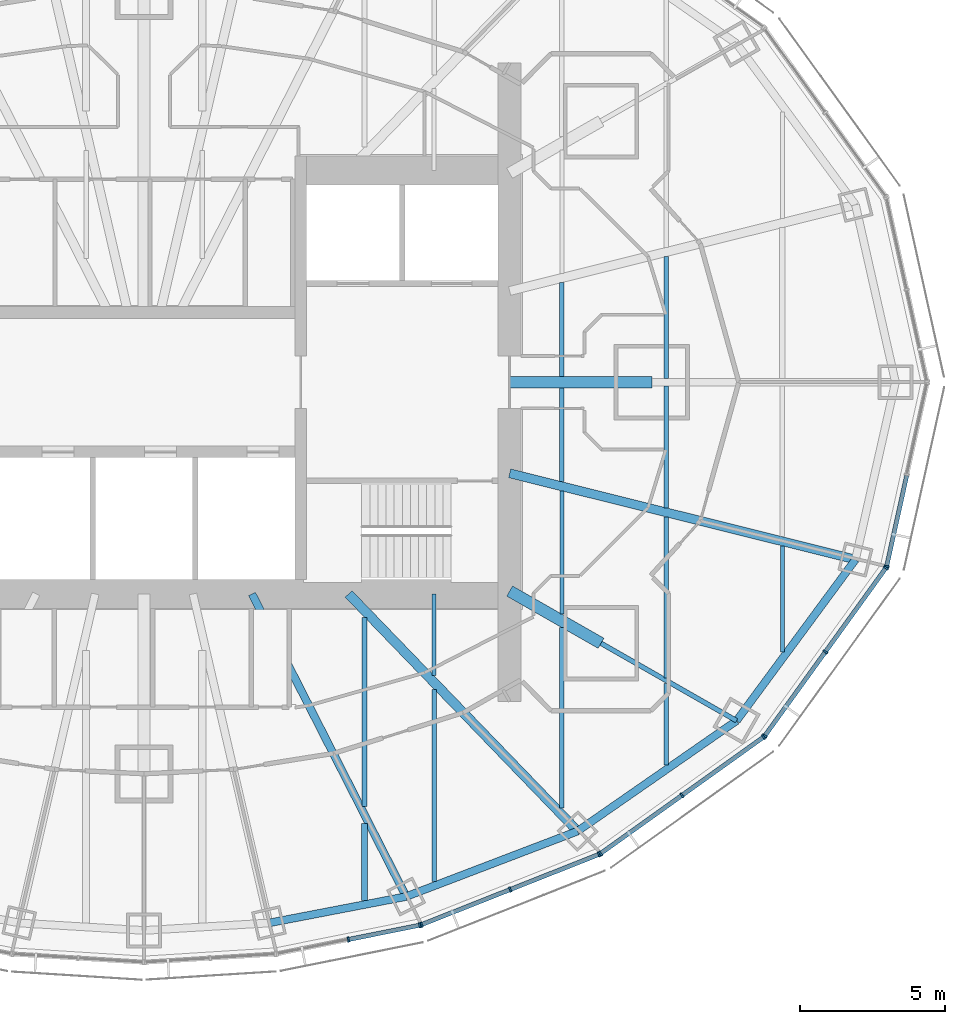
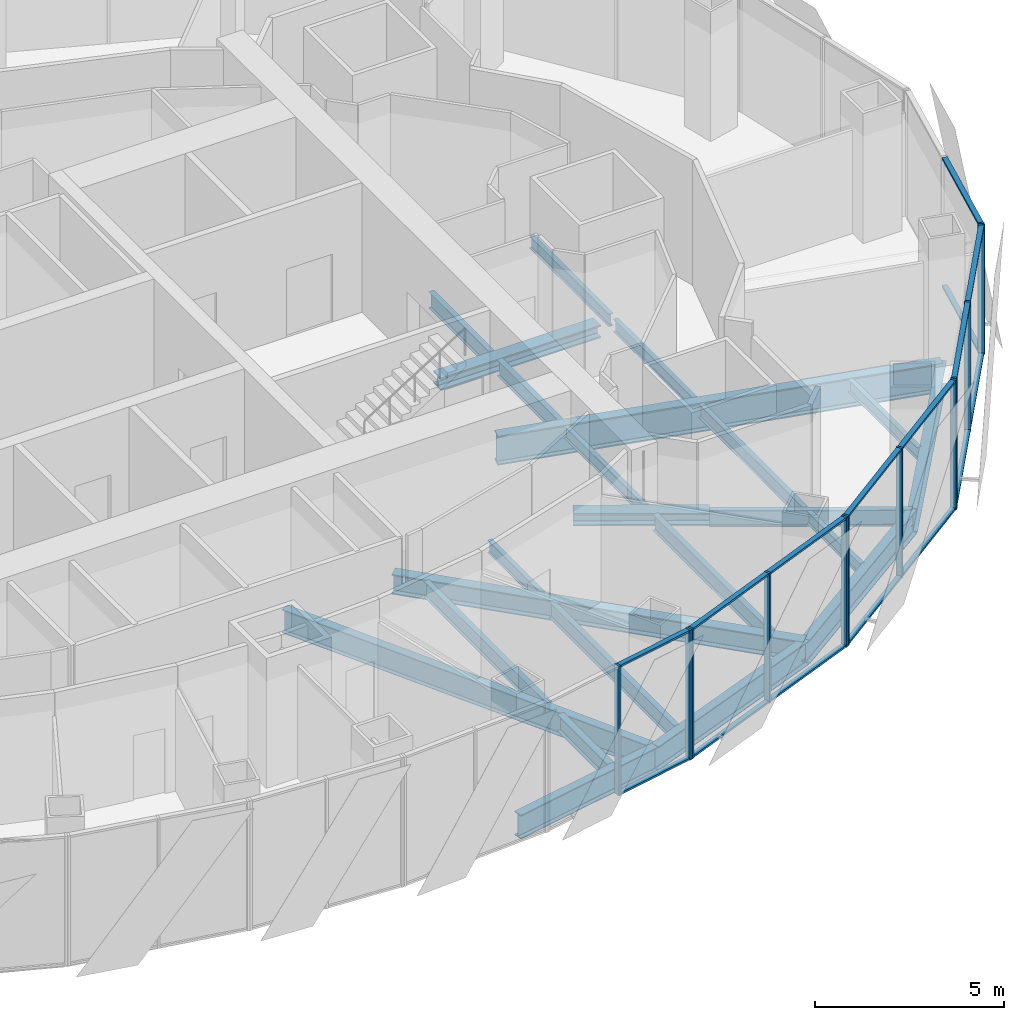
# One storey, part 6 of 18: 28 members, 23 beams, 5 elements without a shape of their own.
"""IFC4 building model written with IfcOpenShell, lengths in metres."""

from ifc_helpers import new_model, si_unit, direction, frame, origin, origin_2d, place, context, subcontext, project, spatial, rectangle, i_section, extrude, material, material_profile, profile_set, type_object, element, aggregate, save


model = new_model("IFC4")

# Units and contexts
model_context = context("Model", 3, precision=1e-05, world=origin(), true_north=direction((0.0, 1.0)))
body_context = subcontext(model_context, "Body", "Model", "MODEL_VIEW")
ifc_project = project(units=[si_unit("LENGTHUNIT", "METRE"), si_unit("AREAUNIT", "SQUARE_METRE"), si_unit("VOLUMEUNIT", "CUBIC_METRE"), si_unit("PLANEANGLEUNIT", "RADIAN"), si_unit("MASSUNIT", "GRAM", prefix="KILO")], contexts=[model_context])

# Site, building, storey
site_placement = place(None, origin())
site = spatial("IfcSite", under=ifc_project, at=site_placement, CompositionType="ELEMENT")
building_placement = place(site_placement, origin())
building = spatial("IfcBuilding", under=site, at=building_placement, Name="Lantaw Convention Tower", CompositionType="ELEMENT")
storey_placement = place(building_placement, frame((0.0, 0.0, 241.0)))
storey = spatial("IfcBuildingStorey", under=building, at=storey_placement, Name="L56", CompositionType="ELEMENT", Elevation=241.0)

# Beams
ifc_material_1 = material(Name="Steel ASTM A992", Category="steel")
ifc_material_profile_1 = material_profile(ifc_material_1, i_section(OverallWidth=0.2666015625, OverallDepth=0.76953125, WebThickness=0.015625, FlangeThickness=0.025390625, FilletRadius=0.0126953125, at=origin_2d()), Name="W30X132")
ifc_profile_set_1 = profile_set([ifc_material_profile_1], Name="Steel ASTM A992")
beam_type_1 = type_object("IfcBeamType", Name="Beam E W30X132", PredefinedType="SPANDREL", material=ifc_profile_set_1)
beam_1_placement = place(storey_placement, frame((4.303955078125, -18.64208984375, -0.534912109375), z_axis=(0.981972091702, 0.189025953556, 0.0), x_axis=(-0.189025953556, 0.981972091702, 0.0)))
element("IfcBeam", 1, at=beam_1_placement, inside=storey, type_object=beam_type_1, Name="Edge beam 20", PredefinedType="SPANDREL", context=body_context, shape_type="SweptSolid", body=[
    extrude(i_section(OverallWidth=0.2666015625, OverallDepth=0.76953125, WebThickness=0.015625, FlangeThickness=0.025390625, FilletRadius=0.0126953125, at=origin_2d()), origin(), (0.0, 0.0, 1.0), 4.817626953125),
])
beam_2_placement = place(storey_placement, frame((9.03466796875, -17.7314453125, -0.534912109375), z_axis=(0.934234988, 0.356658081637, 0.0), x_axis=(-0.356658081637, 0.934234988, 0.0)))
element("IfcBeam", 2, at=beam_2_placement, inside=storey, type_object=beam_type_1, Name="Edge beam 21", PredefinedType="SPANDREL", context=body_context, shape_type="SweptSolid", body=[
    extrude(i_section(OverallWidth=0.2666015625, OverallDepth=0.76953125, WebThickness=0.015625, FlangeThickness=0.025390625, FilletRadius=0.0126953125, at=origin_2d()), origin(), (0.0, 0.0, 1.0), 6.32568359375),
])
beam_3_placement = place(storey_placement, frame((14.9443359375, -15.475341796875, -0.534912109375), z_axis=(0.82135329406, 0.570419815869, 0.0), x_axis=(-0.570419815869, 0.82135329406, 0.0)))
element("IfcBeam", 3, at=beam_3_placement, inside=storey, type_object=beam_type_1, Name="Edge beam 22", PredefinedType="SPANDREL", context=body_context, shape_type="SweptSolid", body=[
    extrude(i_section(OverallWidth=0.2666015625, OverallDepth=0.76953125, WebThickness=0.015625, FlangeThickness=0.025390625, FilletRadius=0.0126953125, at=origin_2d()), origin(), (0.0, 0.0, 1.0), 6.67041015625),
])
beam_4_placement = place(storey_placement, frame((20.423095703125, -11.67041015625, -0.534912109375), z_axis=(0.593639188853, 0.804731329984, 0.0), x_axis=(-0.804731329984, 0.593639188853, 0.0)))
element("IfcBeam", 4, at=beam_4_placement, inside=storey, type_object=beam_type_1, Name="Edge beam 23", PredefinedType="SPANDREL", context=body_context, shape_type="SweptSolid", body=[
    extrude(i_section(OverallWidth=0.2666015625, OverallDepth=0.76953125, WebThickness=0.015625, FlangeThickness=0.025390625, FilletRadius=0.0126953125, at=origin_2d()), origin(), (0.0, 0.0, 1.0), 6.904541015625),
])
ifc_material_profile_2 = material_profile(ifc_material_1, i_section(OverallWidth=0.165771484375, OverallDepth=0.5283203125, WebThickness=0.009765625, FlangeThickness=0.013671875, FilletRadius=0.012939453125, at=origin_2d()), Name="W21X50")
ifc_profile_set_2 = profile_set([ifc_material_profile_2], Name="Steel ASTM A992")
beam_type_2 = type_object("IfcBeamType", Name="Beam G W21X50", PredefinedType="BEAM", material=ifc_profile_set_2)
beam_5_placement = place(storey_placement, frame((15.75, -9.0, -0.4140625), z_axis=(0.868237559289, -0.496148708192, 0.0), x_axis=(0.496148708192, 0.868237559289, 0.0)))
element("IfcBeam", 5, at=beam_5_placement, inside=storey, type_object=beam_type_2, Name="Floor girder on ray 23", PredefinedType="BEAM", context=body_context, shape_type="SweptSolid", body=[
    extrude(i_section(OverallWidth=0.165771484375, OverallDepth=0.5283203125, WebThickness=0.009765625, FlangeThickness=0.013671875, FilletRadius=0.012939453125, at=origin_2d()), origin(), (0.0, 0.0, 1.0), 5.38232421875),
])
ifc_material_profile_3 = material_profile(ifc_material_1, i_section(OverallWidth=0.32763671875, OverallDepth=0.64013671875, WebThickness=0.01904296875, FlangeThickness=0.033935546875, FilletRadius=0.0126953125, at=origin_2d()), Name="W24X176")
ifc_profile_set_3 = profile_set([ifc_material_profile_3], Name="Steel ASTM A992")
beam_type_3 = type_object("IfcBeamType", Name="Beam G W24X176", PredefinedType="BEAM", material=ifc_profile_set_3)
beam_6_placement = place(storey_placement, frame((7.049560546875, -7.300048828125, -0.469970703125), z_axis=(0.694657766726, -0.719340383356, 0.0), x_axis=(0.719340383356, 0.694657766726, 0.0)))
element("IfcBeam", 6, at=beam_6_placement, inside=storey, type_object=beam_type_3, Name="Floor girder on ray 22", PredefinedType="BEAM", context=body_context, shape_type="SweptSolid", body=[
    extrude(i_section(OverallWidth=0.32763671875, OverallDepth=0.64013671875, WebThickness=0.01904296875, FlangeThickness=0.033935546875, FilletRadius=0.0126953125, at=origin_2d()), origin(), (0.0, 0.0, 1.0), 11.364990234375),
])
ifc_material_profile_4 = material_profile(ifc_material_1, i_section(OverallWidth=0.2666015625, OverallDepth=0.7568359375, WebThickness=0.013916015625, FlangeThickness=0.019287109375, FilletRadius=0.0126953125, at=origin_2d()), Name="W30X108")
ifc_profile_set_4 = profile_set([ifc_material_profile_4], Name="Steel ASTM A992")
beam_type_4 = type_object("IfcBeamType", Name="Beam G W30X108", PredefinedType="BEAM", material=ifc_profile_set_4)
beam_7_placement = place(storey_placement, frame((3.719482421875, -7.300048828125, -0.528564453125), z_axis=(0.4539988787, -0.891002254845, 0.0), x_axis=(0.891002254845, 0.4539988787, 0.0)))
element("IfcBeam", 7, at=beam_7_placement, inside=storey, type_object=beam_type_4, Name="Floor girder on ray 21", PredefinedType="BEAM", context=body_context, shape_type="SweptSolid", body=[
    extrude(i_section(OverallWidth=0.2666015625, OverallDepth=0.7568359375, WebThickness=0.013916015625, FlangeThickness=0.019287109375, FilletRadius=0.0126953125, at=origin_2d()), origin(), (0.0, 0.0, 1.0), 11.70751953125),
])
ifc_material_profile_5 = material_profile(ifc_material_1, i_section(OverallWidth=0.307373046875, OverallDepth=0.9423828125, WebThickness=0.022216796875, FlangeThickness=0.039794921875, FilletRadius=0.0126953125, at=origin_2d()), Name="W36X232")
ifc_profile_set_5 = profile_set([ifc_material_profile_5], Name="Steel ASTM A992")
beam_type_5 = type_object("IfcBeamType", Name="Beam G W36X232", PredefinedType="BEAM", material=ifc_profile_set_5)
beam_8_placement = place(storey_placement, frame((12.60009765625, -3.1416015625, -0.62109375), z_axis=(0.970296589314, -0.241918434119, 0.0), x_axis=(0.241918434119, 0.970296589314, 0.0)))
element("IfcBeam", 8, at=beam_8_placement, inside=storey, type_object=beam_type_5, Name="Floor girder on ray 24", PredefinedType="BEAM", context=body_context, shape_type="SweptSolid", body=[
    extrude(i_section(OverallWidth=0.307373046875, OverallDepth=0.9423828125, WebThickness=0.022216796875, FlangeThickness=0.039794921875, FilletRadius=0.0126953125, at=origin_2d()), origin(), (0.0, 0.0, 1.0), 12.286865234375),
])
ifc_material_profile_6 = material_profile(ifc_material_1, i_section(OverallWidth=0.40380859375, OverallDepth=0.406494140625, WebThickness=0.027099609375, FlangeThickness=0.043701171875, FilletRadius=0.01513671875, at=origin_2d()), Name="W14X233")
ifc_profile_set_6 = profile_set([ifc_material_profile_6], Name="Steel ASTM A992")
beam_type_6 = type_object("IfcBeamType", Name="Beam GM W14X233", PredefinedType="BEAM", material=ifc_profile_set_6)
beam_9_placement = place(storey_placement, frame((12.60009765625, 0.0, -0.353271484375), z_axis=(1.0, 0.0, 0.0), x_axis=(0.0, 1.0, 0.0)))
element("IfcBeam", 9, at=beam_9_placement, inside=storey, type_object=beam_type_6, Name="Core link beam on ray 1", PredefinedType="BEAM", context=body_context, shape_type="SweptSolid", body=[
    extrude(i_section(OverallWidth=0.40380859375, OverallDepth=0.406494140625, WebThickness=0.027099609375, FlangeThickness=0.043701171875, FilletRadius=0.01513671875, at=origin_2d()), origin(), (0.0, 0.0, 1.0), 4.89990234375),
])
beam_10_placement = place(storey_placement, frame((12.60009765625, -7.199951171875, -0.353271484375), z_axis=(0.868230718294, -0.496160679428, 0.0), x_axis=(0.496160679428, 0.868230718294, 0.0)))
element("IfcBeam", 10, at=beam_10_placement, inside=storey, type_object=beam_type_6, Name="Core link beam on ray 23", PredefinedType="BEAM", context=body_context, shape_type="SweptSolid", body=[
    extrude(i_section(OverallWidth=0.40380859375, OverallDepth=0.406494140625, WebThickness=0.027099609375, FlangeThickness=0.043701171875, FilletRadius=0.01513671875, at=origin_2d()), origin(), (0.0, 0.0, 1.0), 3.6279296875),
])
ifc_material_profile_7 = material_profile(ifc_material_1, i_section(OverallWidth=0.140380859375, OverallDepth=0.40380859375, WebThickness=0.007080078125, FlangeThickness=0.01123046875, FilletRadius=0.01025390625, at=origin_2d()), Name="W16X31")
ifc_profile_set_7 = profile_set([ifc_material_profile_7], Name="Steel ASTM A992")
beam_type_7 = type_object("IfcBeamType", Name="Beam J W16X31", PredefinedType="JOIST", material=ifc_profile_set_7)
beam_11_placement = place(storey_placement, frame((10.0, -10.119384765625, -0.35205078125), z_axis=(0.0, 1.0, 0.0), x_axis=(-1.0, 0.0, 0.0)))
element("IfcBeam", 11, at=beam_11_placement, inside=storey, type_object=beam_type_7, Name="Floor joist", PredefinedType="JOIST", context=body_context, shape_type="SweptSolid", body=[
    extrude(i_section(OverallWidth=0.140380859375, OverallDepth=0.40380859375, WebThickness=0.007080078125, FlangeThickness=0.01123046875, FilletRadius=0.01025390625, at=origin_2d()), origin(), (0.0, 0.0, 1.0), 2.8193359375),
])
beam_12_placement = place(storey_placement, frame((14.39990234375, -7.99609375, -0.35205078125), z_axis=(0.0, 1.0, 0.0), x_axis=(-1.0, 0.0, 0.0)))
element("IfcBeam", 12, at=beam_12_placement, inside=storey, type_object=beam_type_7, Name="Floor joist", PredefinedType="JOIST", context=body_context, shape_type="SweptSolid", body=[
    extrude(i_section(OverallWidth=0.140380859375, OverallDepth=0.40380859375, WebThickness=0.007080078125, FlangeThickness=0.01123046875, FilletRadius=0.01025390625, at=origin_2d()), origin(), (0.0, 0.0, 1.0), 4.247314453125),
])
beam_13_placement = place(storey_placement, frame((18.0, -13.19091796875, -0.35205078125), z_axis=(0.0, 1.0, 0.0), x_axis=(-1.0, 0.0, 0.0)))
element("IfcBeam", 13, at=beam_13_placement, inside=storey, type_object=beam_type_7, Name="Floor joist", PredefinedType="JOIST", context=body_context, shape_type="SweptSolid", body=[
    extrude(i_section(OverallWidth=0.140380859375, OverallDepth=0.40380859375, WebThickness=0.007080078125, FlangeThickness=0.01123046875, FilletRadius=0.01025390625, at=origin_2d()), origin(), (0.0, 0.0, 1.0), 2.8095703125),
])
for number, where, z_axis, x_axis, name in (
    (14, (18.0, -4.32958984375, -0.35205078125), (0.0, 1.0, 0.0), (-1.0, 0.0, 0.0), "Floor joist"),
    (15, (18.0, 0.126953125, -0.35205078125), (0.0, 1.0, 0.0), (-1.0, 0.0, 0.0), "Floor joist"),
):
    element("IfcBeam", number, at=place(storey_placement, frame(where, z_axis=z_axis, x_axis=x_axis)), inside=storey, type_object=beam_type_7, Name=name, PredefinedType="JOIST", context=body_context, shape_type="SweptSolid", body=[
        extrude(i_section(OverallWidth=0.140380859375, OverallDepth=0.40380859375, WebThickness=0.007080078125, FlangeThickness=0.01123046875, FilletRadius=0.01025390625, at=origin_2d()), origin(), (0.0, 0.0, 1.0), 4.20263671875),
    ])
beam_14_placement = place(storey_placement, frame((22.0, -9.30810546875, -0.35205078125), z_axis=(0.0, 1.0, 0.0), x_axis=(-1.0, 0.0, 0.0)))
element("IfcBeam", 16, at=beam_14_placement, inside=storey, type_object=beam_type_7, Name="Floor joist", PredefinedType="JOIST", context=body_context, shape_type="SweptSolid", body=[
    extrude(i_section(OverallWidth=0.140380859375, OverallDepth=0.40380859375, WebThickness=0.007080078125, FlangeThickness=0.01123046875, FilletRadius=0.01025390625, at=origin_2d()), origin(), (0.0, 0.0, 1.0), 3.66455078125),
])
ifc_material_profile_8 = material_profile(ifc_material_1, i_section(OverallWidth=0.15234375, OverallDepth=0.449462890625, WebThickness=0.007568359375, FlangeThickness=0.0107421875, FilletRadius=0.01025390625, at=origin_2d()), Name="W18X35")
ifc_profile_set_8 = profile_set([ifc_material_profile_8], Name="Steel ASTM A992")
beam_type_8 = type_object("IfcBeamType", Name="Beam J W18X35", PredefinedType="JOIST", material=ifc_profile_set_8)
beam_15_placement = place(storey_placement, frame((18.0, -10.190185546875, -0.374755859375), z_axis=(0.0, 1.0, 0.0), x_axis=(-1.0, 0.0, 0.0)))
element("IfcBeam", 17, at=beam_15_placement, inside=storey, type_object=beam_type_8, Name="Floor joist", PredefinedType="JOIST", context=body_context, shape_type="SweptSolid", body=[
    extrude(i_section(OverallWidth=0.15234375, OverallDepth=0.449462890625, WebThickness=0.007568359375, FlangeThickness=0.0107421875, FilletRadius=0.01025390625, at=origin_2d()), origin(), (0.0, 0.0, 1.0), 5.5439453125),
])
ifc_material_profile_9 = material_profile(ifc_material_1, i_section(OverallWidth=0.1650390625, OverallDepth=0.52587890625, WebThickness=0.0087890625, FlangeThickness=0.011474609375, FilletRadius=0.0126953125, at=origin_2d()), Name="W21X44")
ifc_profile_set_9 = profile_set([ifc_material_profile_9], Name="Steel ASTM A992")
beam_type_9 = type_object("IfcBeamType", Name="Beam J W21X44", PredefinedType="JOIST", material=ifc_profile_set_9)
beam_16_placement = place(storey_placement, frame((7.60009765625, -14.6220703125, -0.412841796875), z_axis=(0.0, 1.0, 0.0), x_axis=(-1.0, 0.0, 0.0)))
element("IfcBeam", 18, at=beam_16_placement, inside=storey, type_object=beam_type_9, Name="Floor joist", PredefinedType="JOIST", context=body_context, shape_type="SweptSolid", body=[
    extrude(i_section(OverallWidth=0.1650390625, OverallDepth=0.52587890625, WebThickness=0.0087890625, FlangeThickness=0.011474609375, FilletRadius=0.0126953125, at=origin_2d()), origin(), (0.0, 0.0, 1.0), 6.51611328125),
])
beam_17_placement = place(storey_placement, frame((10.0, -17.22021484375, -0.412841796875), z_axis=(0.0, 1.0, 0.0), x_axis=(-1.0, 0.0, 0.0)))
element("IfcBeam", 19, at=beam_17_placement, inside=storey, type_object=beam_type_9, Name="Floor joist", PredefinedType="JOIST", context=body_context, shape_type="SweptSolid", body=[
    extrude(i_section(OverallWidth=0.1650390625, OverallDepth=0.52587890625, WebThickness=0.0087890625, FlangeThickness=0.011474609375, FilletRadius=0.0126953125, at=origin_2d()), origin(), (0.0, 0.0, 1.0), 6.629150390625),
])
beam_18_placement = place(storey_placement, frame((14.39990234375, -14.67578125, -0.412841796875), z_axis=(0.0, 1.0, 0.0), x_axis=(-1.0, 0.0, 0.0)))
element("IfcBeam", 20, at=beam_18_placement, inside=storey, type_object=beam_type_9, Name="Floor joist", PredefinedType="JOIST", context=body_context, shape_type="SweptSolid", body=[
    extrude(i_section(OverallWidth=0.1650390625, OverallDepth=0.52587890625, WebThickness=0.0087890625, FlangeThickness=0.011474609375, FilletRadius=0.0126953125, at=origin_2d()), origin(), (0.0, 0.0, 1.0), 6.214599609375),
])
for number, where, z_axis, x_axis, name in (
    (21, (14.39990234375, -3.431884765625, -0.412841796875), (0.0, 1.0, 0.0), (-1.0, 0.0, 0.0), "Floor joist"),
    (22, (14.39990234375, 0.201904296875, -0.412841796875), (0.0, 1.0, 0.0), (-1.0, 0.0, 0.0), "Floor joist"),
):
    element("IfcBeam", number, at=place(storey_placement, frame(where, z_axis=z_axis, x_axis=x_axis)), inside=storey, type_object=beam_type_9, Name=name, PredefinedType="JOIST", context=body_context, shape_type="SweptSolid", body=[
        extrude(i_section(OverallWidth=0.1650390625, OverallDepth=0.52587890625, WebThickness=0.0087890625, FlangeThickness=0.011474609375, FilletRadius=0.0126953125, at=origin_2d()), origin(), (0.0, 0.0, 1.0), 3.22998046875),
    ])
ifc_material_profile_10 = material_profile(ifc_material_1, i_section(OverallWidth=0.2099609375, OverallDepth=0.535888671875, WebThickness=0.010986328125, FlangeThickness=0.017333984375, FilletRadius=0.012939453125, at=origin_2d()), Name="W21X68")
ifc_profile_set_10 = profile_set([ifc_material_profile_10], Name="Steel ASTM A992")
beam_type_10 = type_object("IfcBeamType", Name="Beam J W21X68", PredefinedType="JOIST", material=ifc_profile_set_10)
beam_19_placement = place(storey_placement, frame((7.60009765625, -17.871826171875, -0.41796875), z_axis=(0.0, 1.0, 0.0), x_axis=(-1.0, 0.0, 0.0)))
element("IfcBeam", 23, at=beam_19_placement, inside=storey, type_object=beam_type_10, Name="Floor joist", PredefinedType="JOIST", context=body_context, shape_type="SweptSolid", body=[
    extrude(i_section(OverallWidth=0.2099609375, OverallDepth=0.535888671875, WebThickness=0.010986328125, FlangeThickness=0.017333984375, FilletRadius=0.012939453125, at=origin_2d()), origin(), (0.0, 0.0, 1.0), 2.662353515625),
])

# Curtain wall, members
ifc_material_2 = material(Name="Aluminium framed curtain wall", Category="aluminium")
curtain_wall_type = type_object("IfcCurtainWallType", Name="Office curtain wall high rise, pale aluminium", PredefinedType="USERDEFINED", material=ifc_material_2)
curtain_wall_1_placement = place(storey_placement, origin())
curtain_wall_1 = element("IfcCurtainWall", 24, at=curtain_wall_1_placement, inside=storey, type_object=curtain_wall_type, Name="Office curtain wall high rise, pale aluminium L56", ObjectType="UNITISED CURTAIN WALL", PredefinedType="USERDEFINED")
ifc_material_3 = material(Name="Aluminium 6063-T6", Category="aluminium")
ifc_material_profile_11 = material_profile(ifc_material_3, rectangle(XDim=0.179931640625, YDim=0.06494140625, at=origin_2d()), Name="CW-O2 mullion 65x180")
ifc_profile_set_11 = profile_set([ifc_material_profile_11], Name="Aluminium 6063-T6")
member_type_1 = type_object("IfcMemberType", Name="CW-O2 mullion 65x180", PredefinedType="MULLION", material=ifc_profile_set_11)
member_1_placement = place(storey_placement, frame((7.042724609375, -19.212646484375, -0.14990234375), z_axis=(0.0, 0.0, 1.0), x_axis=(-0.197183095987, 0.980366679695, 0.0)))
member_1 = element("IfcMember", 25, at=member_1_placement, type_object=member_type_1, Name="CW-O2 mullion 2", PredefinedType="MULLION", context=body_context, shape_type="SweptSolid", body=[
    extrude(rectangle(XDim=0.179931640625, YDim=0.06494140625, at=origin_2d()), origin(), (0.0, 0.0, 1.0), 4.199951171875),
])
member_2_placement = place(storey_placement, frame((9.502197265625, -18.718017578125, -0.14990234375), z_axis=(0.0, 0.0, 1.0), x_axis=(-0.197183095987, 0.980366679695, 0.0)))
member_2 = element("IfcMember", 26, at=member_2_placement, type_object=member_type_1, Name="CW-O2 mullion 3", PredefinedType="MULLION", context=body_context, shape_type="SweptSolid", body=[
    extrude(rectangle(XDim=0.179931640625, YDim=0.06494140625, at=origin_2d()), origin(), (0.0, 0.0, 1.0), 4.199951171875),
])

curtain_wall_2_placement = place(storey_placement, origin())
curtain_wall_2 = element("IfcCurtainWall", 27, at=curtain_wall_2_placement, inside=storey, type_object=curtain_wall_type, Name="Office curtain wall high rise, pale aluminium L56", ObjectType="UNITISED CURTAIN WALL", PredefinedType="USERDEFINED")
member_3_placement = place(storey_placement, frame((9.564208984375, -18.69970703125, -0.14990234375), z_axis=(0.0, 0.0, 1.0), x_axis=(-0.368162315252, 0.929761533743, 0.0)))
member_3 = element("IfcMember", 28, at=member_3_placement, type_object=member_type_1, Name="CW-O2 mullion 1", PredefinedType="MULLION", context=body_context, shape_type="SweptSolid", body=[
    extrude(rectangle(XDim=0.179931640625, YDim=0.06494140625, at=origin_2d()), origin(), (0.0, 0.0, 1.0), 4.199951171875),
])
member_4_placement = place(storey_placement, frame((12.621337890625, -17.4892578125, -0.14990234375), z_axis=(0.0, 0.0, 1.0), x_axis=(-0.368162315252, 0.929761533743, 0.0)))
member_4 = element("IfcMember", 29, at=member_4_placement, type_object=member_type_1, Name="CW-O2 mullion 2", PredefinedType="MULLION", context=body_context, shape_type="SweptSolid", body=[
    extrude(rectangle(XDim=0.179931640625, YDim=0.06494140625, at=origin_2d()), origin(), (0.0, 0.0, 1.0), 4.199951171875),
])
member_5_placement = place(storey_placement, frame((15.67822265625, -16.278564453125, -0.14990234375), z_axis=(0.0, 0.0, 1.0), x_axis=(-0.368162315252, 0.929761533743, 0.0)))
member_5 = element("IfcMember", 30, at=member_5_placement, type_object=member_type_1, Name="CW-O2 mullion 3", PredefinedType="MULLION", context=body_context, shape_type="SweptSolid", body=[
    extrude(rectangle(XDim=0.179931640625, YDim=0.06494140625, at=origin_2d()), origin(), (0.0, 0.0, 1.0), 4.199951171875),
])

curtain_wall_3_placement = place(storey_placement, origin())
curtain_wall_3 = element("IfcCurtainWall", 31, at=curtain_wall_3_placement, inside=storey, type_object=curtain_wall_type, Name="Office curtain wall high rise, pale aluminium L56", ObjectType="UNITISED CURTAIN WALL", PredefinedType="USERDEFINED")
member_6_placement = place(storey_placement, frame((15.73486328125, -16.247802734375, -0.14990234375), z_axis=(0.0, 0.0, 1.0), x_axis=(-0.581323487281, 0.813672540482, 0.0)))
member_6 = element("IfcMember", 32, at=member_6_placement, type_object=member_type_1, Name="CW-O2 mullion 1", PredefinedType="MULLION", context=body_context, shape_type="SweptSolid", body=[
    extrude(rectangle(XDim=0.179931640625, YDim=0.06494140625, at=origin_2d()), origin(), (0.0, 0.0, 1.0), 4.199951171875),
])
member_7_placement = place(storey_placement, frame((18.543212890625, -14.241455078125, -0.14990234375), z_axis=(0.0, 0.0, 1.0), x_axis=(-0.581323487281, 0.813672540482, 0.0)))
member_7 = element("IfcMember", 33, at=member_7_placement, type_object=member_type_1, Name="CW-O2 mullion 2", PredefinedType="MULLION", context=body_context, shape_type="SweptSolid", body=[
    extrude(rectangle(XDim=0.179931640625, YDim=0.06494140625, at=origin_2d()), origin(), (0.0, 0.0, 1.0), 4.199951171875),
])
member_8_placement = place(storey_placement, frame((21.3515625, -12.23486328125, -0.14990234375), z_axis=(0.0, 0.0, 1.0), x_axis=(-0.581323487281, 0.813672540482, 0.0)))
member_8 = element("IfcMember", 34, at=member_8_placement, type_object=member_type_1, Name="CW-O2 mullion 3", PredefinedType="MULLION", context=body_context, shape_type="SweptSolid", body=[
    extrude(rectangle(XDim=0.179931640625, YDim=0.06494140625, at=origin_2d()), origin(), (0.0, 0.0, 1.0), 4.199951171875),
])

curtain_wall_4_placement = place(storey_placement, origin())
curtain_wall_4 = element("IfcCurtainWall", 35, at=curtain_wall_4_placement, inside=storey, type_object=curtain_wall_type, Name="Office curtain wall high rise, pale aluminium L56", ObjectType="UNITISED CURTAIN WALL", PredefinedType="USERDEFINED")
member_9_placement = place(storey_placement, frame((21.397216796875, -12.189697265625, -0.14990234375), z_axis=(0.0, 0.0, 1.0), x_axis=(-0.810919559405, 0.585157643865, 0.0)))
member_9 = element("IfcMember", 36, at=member_9_placement, type_object=member_type_1, Name="CW-O2 mullion 1", PredefinedType="MULLION", context=body_context, shape_type="SweptSolid", body=[
    extrude(rectangle(XDim=0.179931640625, YDim=0.06494140625, at=origin_2d()), origin(), (0.0, 0.0, 1.0), 4.199951171875),
])
member_10_placement = place(storey_placement, frame((23.483642578125, -9.298095703125, -0.14990234375), z_axis=(0.0, 0.0, 1.0), x_axis=(-0.810919559405, 0.585157643865, 0.0)))
member_10 = element("IfcMember", 37, at=member_10_placement, type_object=member_type_1, Name="CW-O2 mullion 2", PredefinedType="MULLION", context=body_context, shape_type="SweptSolid", body=[
    extrude(rectangle(XDim=0.179931640625, YDim=0.06494140625, at=origin_2d()), origin(), (0.0, 0.0, 1.0), 4.199951171875),
])
member_11_placement = place(storey_placement, frame((25.5703125, -6.406494140625, -0.14990234375), z_axis=(0.0, 0.0, 1.0), x_axis=(-0.810919559405, 0.585157643865, 0.0)))
member_11 = element("IfcMember", 38, at=member_11_placement, type_object=member_type_1, Name="CW-O2 mullion 3", PredefinedType="MULLION", context=body_context, shape_type="SweptSolid", body=[
    extrude(rectangle(XDim=0.179931640625, YDim=0.06494140625, at=origin_2d()), origin(), (0.0, 0.0, 1.0), 4.199951171875),
])

# Curtain wall, member
curtain_wall_5_placement = place(storey_placement, origin())
curtain_wall_5 = element("IfcCurtainWall", 39, at=curtain_wall_5_placement, inside=storey, type_object=curtain_wall_type, Name="Office curtain wall high rise, pale aluminium L56", ObjectType="UNITISED CURTAIN WALL", PredefinedType="USERDEFINED")
member_12_placement = place(storey_placement, frame((25.596435546875, -6.348388671875, -0.14990234375), z_axis=(0.0, 0.0, 1.0), x_axis=(-0.976417396437, 0.215891333626, 0.0)))
member_12 = element("IfcMember", 40, at=member_12_placement, type_object=member_type_1, Name="CW-O2 mullion 1", PredefinedType="MULLION", context=body_context, shape_type="SweptSolid", body=[
    extrude(rectangle(XDim=0.179931640625, YDim=0.06494140625, at=origin_2d()), origin(), (0.0, 0.0, 1.0), 4.199951171875),
])

# Member
ifc_material_profile_12 = material_profile(ifc_material_3, rectangle(XDim=0.14990234375, YDim=0.06494140625, at=origin_2d()), Name="CW-O2 transom 65x150")
ifc_profile_set_12 = profile_set([ifc_material_profile_12], Name="Aluminium 6063-T6")
member_type_2 = type_object("IfcMemberType", Name="CW-O2 transom 65x150", PredefinedType="USERDEFINED", material=ifc_profile_set_12)
member_13_placement = place(storey_placement, frame((7.074462890625, -19.206298828125, -0.117431640625), z_axis=(0.98036104319, 0.197211117829, 0.0), x_axis=(-0.197211117829, 0.98036104319, 0.0)))
member_13 = element("IfcMember", 41, at=member_13_placement, type_object=member_type_2, Name="CW-O2 transom 2.1", ObjectType="TRANSOM", PredefinedType="USERDEFINED", context=body_context, shape_type="SweptSolid", body=[
    extrude(rectangle(XDim=0.14990234375, YDim=0.06494140625, at=origin_2d()), origin(), (0.0, 0.0, 1.0), 2.44384765625),
])

member_14_placement = place(storey_placement, frame((7.074462890625, -19.206298828125, 4.017578125), z_axis=(0.98036104319, 0.197211117829, 0.0), x_axis=(-0.197211117829, 0.98036104319, 0.0)))
member_14 = element("IfcMember", 42, at=member_14_placement, type_object=member_type_2, Name="CW-O2 transom 2.2", ObjectType="TRANSOM", PredefinedType="USERDEFINED", context=body_context, shape_type="SweptSolid", body=[
    extrude(rectangle(XDim=0.14990234375, YDim=0.06494140625, at=origin_2d()), origin(), (0.0, 0.0, 1.0), 2.44384765625),
])

aggregate(curtain_wall_1, [member_1, member_2, member_13, member_14])

member_15_placement = place(storey_placement, frame((9.594482421875, -18.687744140625, -0.117431640625), z_axis=(0.929766642946, 0.368149412149, 0.0), x_axis=(-0.368149412149, 0.929766642946, 0.0)))
member_15 = element("IfcMember", 43, at=member_15_placement, type_object=member_type_2, Name="CW-O2 transom 1.1", ObjectType="TRANSOM", PredefinedType="USERDEFINED", context=body_context, shape_type="SweptSolid", body=[
    extrude(rectangle(XDim=0.14990234375, YDim=0.06494140625, at=origin_2d()), origin(), (0.0, 0.0, 1.0), 3.222900390625),
])

member_16_placement = place(storey_placement, frame((9.594482421875, -18.687744140625, 4.017578125), z_axis=(0.929766642946, 0.368149412149, 0.0), x_axis=(-0.368149412149, 0.929766642946, 0.0)))
member_16 = element("IfcMember", 44, at=member_16_placement, type_object=member_type_2, Name="CW-O2 transom 1.2", ObjectType="TRANSOM", PredefinedType="USERDEFINED", context=body_context, shape_type="SweptSolid", body=[
    extrude(rectangle(XDim=0.14990234375, YDim=0.06494140625, at=origin_2d()), origin(), (0.0, 0.0, 1.0), 3.222900390625),
])

member_17_placement = place(storey_placement, frame((12.651611328125, -17.477294921875, -0.117431640625), z_axis=(0.929740712354, 0.368214893495, 0.0), x_axis=(-0.368214893495, 0.929740712354, 0.0)))
member_17 = element("IfcMember", 45, at=member_17_placement, type_object=member_type_2, Name="CW-O2 transom 2.1", ObjectType="TRANSOM", PredefinedType="USERDEFINED", context=body_context, shape_type="SweptSolid", body=[
    extrude(rectangle(XDim=0.14990234375, YDim=0.06494140625, at=origin_2d()), origin(), (0.0, 0.0, 1.0), 3.22314453125),
])

member_18_placement = place(storey_placement, frame((12.651611328125, -17.477294921875, 4.017578125), z_axis=(0.929740712354, 0.368214893495, 0.0), x_axis=(-0.368214893495, 0.929740712354, 0.0)))
member_18 = element("IfcMember", 46, at=member_18_placement, type_object=member_type_2, Name="CW-O2 transom 2.2", ObjectType="TRANSOM", PredefinedType="USERDEFINED", context=body_context, shape_type="SweptSolid", body=[
    extrude(rectangle(XDim=0.14990234375, YDim=0.06494140625, at=origin_2d()), origin(), (0.0, 0.0, 1.0), 3.22314453125),
])

aggregate(curtain_wall_2, [member_3, member_4, member_5, member_15, member_16, member_17, member_18])

member_19_placement = place(storey_placement, frame((15.761474609375, -16.22900390625, -0.117431640625), z_axis=(0.813645780821, 0.581360940683, 0.0), x_axis=(-0.581360940683, 0.813645780821, 0.0)))
member_19 = element("IfcMember", 47, at=member_19_placement, type_object=member_type_2, Name="CW-O2 transom 1.1", ObjectType="TRANSOM", PredefinedType="USERDEFINED", context=body_context, shape_type="SweptSolid", body=[
    extrude(rectangle(XDim=0.14990234375, YDim=0.06494140625, at=origin_2d()), origin(), (0.0, 0.0, 1.0), 3.386474609375),
])

member_20_placement = place(storey_placement, frame((15.761474609375, -16.22900390625, 4.017578125), z_axis=(0.813645780821, 0.581360940683, 0.0), x_axis=(-0.581360940683, 0.813645780821, 0.0)))
member_20 = element("IfcMember", 48, at=member_20_placement, type_object=member_type_2, Name="CW-O2 transom 1.2", ObjectType="TRANSOM", PredefinedType="USERDEFINED", context=body_context, shape_type="SweptSolid", body=[
    extrude(rectangle(XDim=0.14990234375, YDim=0.06494140625, at=origin_2d()), origin(), (0.0, 0.0, 1.0), 3.386474609375),
])

member_21_placement = place(storey_placement, frame((18.56982421875, -14.222412109375, -0.117431640625), z_axis=(0.813679882592, 0.581313210468, 0.0), x_axis=(-0.581313210468, 0.813679882592, 0.0)))
member_21 = element("IfcMember", 49, at=member_21_placement, type_object=member_type_2, Name="CW-O2 transom 2.1", ObjectType="TRANSOM", PredefinedType="USERDEFINED", context=body_context, shape_type="SweptSolid", body=[
    extrude(rectangle(XDim=0.14990234375, YDim=0.06494140625, at=origin_2d()), origin(), (0.0, 0.0, 1.0), 3.38623046875),
])

member_22_placement = place(storey_placement, frame((18.56982421875, -14.222412109375, 4.017578125), z_axis=(0.813679882592, 0.581313210468, 0.0), x_axis=(-0.581313210468, 0.813679882592, 0.0)))
member_22 = element("IfcMember", 50, at=member_22_placement, type_object=member_type_2, Name="CW-O2 transom 2.2", ObjectType="TRANSOM", PredefinedType="USERDEFINED", context=body_context, shape_type="SweptSolid", body=[
    extrude(rectangle(XDim=0.14990234375, YDim=0.06494140625, at=origin_2d()), origin(), (0.0, 0.0, 1.0), 3.38623046875),
])

aggregate(curtain_wall_3, [member_6, member_7, member_8, member_19, member_20, member_21, member_22])

member_23_placement = place(storey_placement, frame((21.416259765625, -12.163330078125, -0.117431640625), z_axis=(0.585123825205, 0.810943961798, 0.0), x_axis=(-0.810943961798, 0.585123825205, 0.0)))
member_23 = element("IfcMember", 51, at=member_23_placement, type_object=member_type_2, Name="CW-O2 transom 1.1", ObjectType="TRANSOM", PredefinedType="USERDEFINED", context=body_context, shape_type="SweptSolid", body=[
    extrude(rectangle(XDim=0.14990234375, YDim=0.06494140625, at=origin_2d()), origin(), (0.0, 0.0, 1.0), 3.500732421875),
])

member_24_placement = place(storey_placement, frame((21.416259765625, -12.163330078125, 4.017578125), z_axis=(0.585123825205, 0.810943961798, 0.0), x_axis=(-0.810943961798, 0.585123825205, 0.0)))
member_24 = element("IfcMember", 52, at=member_24_placement, type_object=member_type_2, Name="CW-O2 transom 1.2", ObjectType="TRANSOM", PredefinedType="USERDEFINED", context=body_context, shape_type="SweptSolid", body=[
    extrude(rectangle(XDim=0.14990234375, YDim=0.06494140625, at=origin_2d()), origin(), (0.0, 0.0, 1.0), 3.500732421875),
])

member_25_placement = place(storey_placement, frame((23.502685546875, -9.271728515625, -0.117431640625), z_axis=(0.585169685931, 0.810910869743, 0.0), x_axis=(-0.810910869743, 0.585169685931, 0.0)))
member_25 = element("IfcMember", 53, at=member_25_placement, type_object=member_type_2, Name="CW-O2 transom 2.1", ObjectType="TRANSOM", PredefinedType="USERDEFINED", context=body_context, shape_type="SweptSolid", body=[
    extrude(rectangle(XDim=0.14990234375, YDim=0.06494140625, at=origin_2d()), origin(), (0.0, 0.0, 1.0), 3.500732421875),
])

member_26_placement = place(storey_placement, frame((23.502685546875, -9.271728515625, 4.017578125), z_axis=(0.585169685931, 0.810910869743, 0.0), x_axis=(-0.810910869743, 0.585169685931, 0.0)))
member_26 = element("IfcMember", 54, at=member_26_placement, type_object=member_type_2, Name="CW-O2 transom 2.2", ObjectType="TRANSOM", PredefinedType="USERDEFINED", context=body_context, shape_type="SweptSolid", body=[
    extrude(rectangle(XDim=0.14990234375, YDim=0.06494140625, at=origin_2d()), origin(), (0.0, 0.0, 1.0), 3.500732421875),
])

aggregate(curtain_wall_4, [member_9, member_10, member_11, member_23, member_24, member_25, member_26])

member_27_placement = place(storey_placement, frame((25.603271484375, -6.316650390625, -0.117431640625), z_axis=(0.215894607042, 0.976416672661, 0.0), x_axis=(-0.976416672661, 0.215894607042, 0.0)))
member_27 = element("IfcMember", 55, at=member_27_placement, type_object=member_type_2, Name="CW-O2 transom 1.1", ObjectType="TRANSOM", PredefinedType="USERDEFINED", context=body_context, shape_type="SweptSolid", body=[
    extrude(rectangle(XDim=0.14990234375, YDim=0.06494140625, at=origin_2d()), origin(), (0.0, 0.0, 1.0), 3.169677734375),
])

member_28_placement = place(storey_placement, frame((25.603271484375, -6.316650390625, 4.017578125), z_axis=(0.215894607042, 0.976416672661, 0.0), x_axis=(-0.976416672661, 0.215894607042, 0.0)))
member_28 = element("IfcMember", 56, at=member_28_placement, type_object=member_type_2, Name="CW-O2 transom 1.2", ObjectType="TRANSOM", PredefinedType="USERDEFINED", context=body_context, shape_type="SweptSolid", body=[
    extrude(rectangle(XDim=0.14990234375, YDim=0.06494140625, at=origin_2d()), origin(), (0.0, 0.0, 1.0), 3.169677734375),
])

aggregate(curtain_wall_5, [member_12, member_27, member_28])

save(model, "model.ifc")
